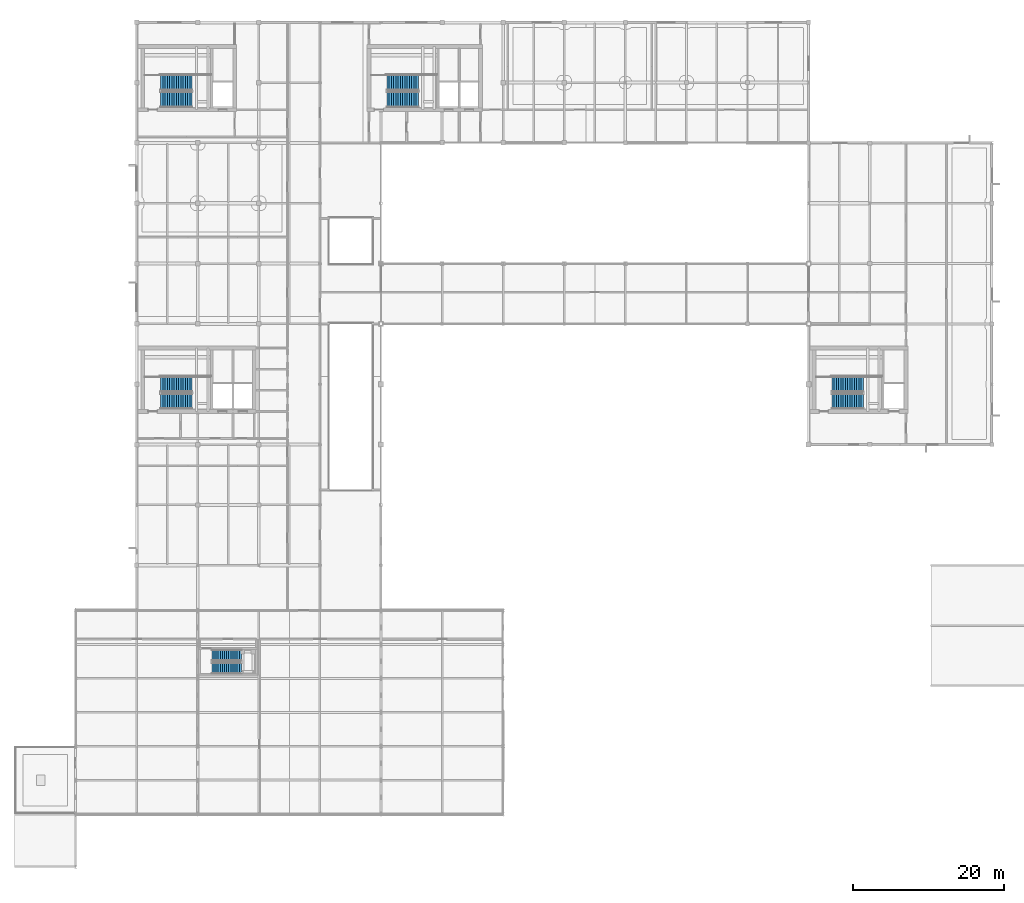
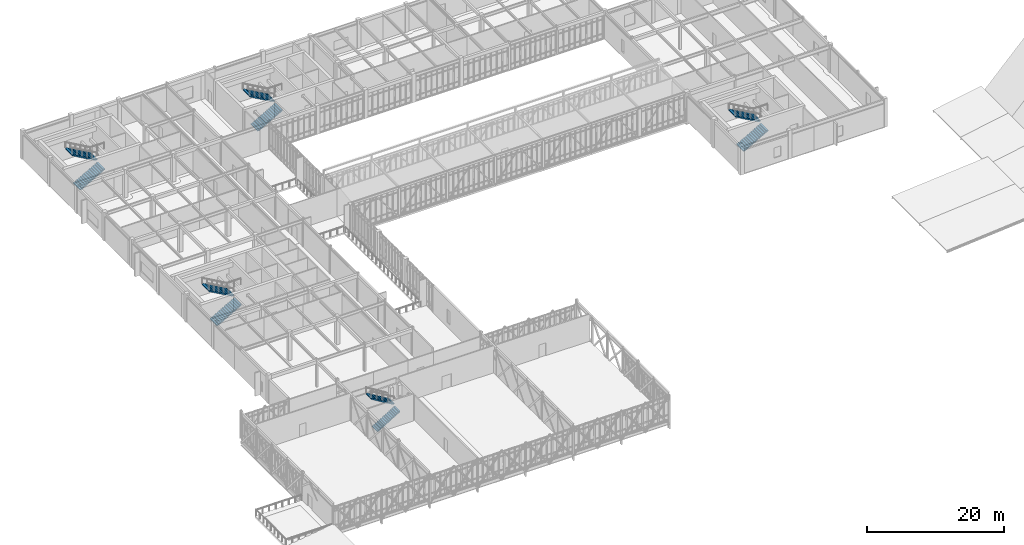
# One storey, part 100 of 107: 10 stair flights, 5 elements without a shape of their own.
"""IFC4 building model written with IfcOpenShell, lengths in metres."""

from ifc_helpers import new_model, si_unit, direction, frame, origin, place, context, subcontext, project, spatial, polyline, outline, extrude, material, type_object, element, aggregate, save


model = new_model("IFC4")

# Units and contexts
model_context = context("Model", 3, precision=1e-05, world=origin(), true_north=direction((0.0, 1.0)))
body_context = subcontext(model_context, "Body", "Model", "MODEL_VIEW")
ifc_project = project(units=[si_unit("LENGTHUNIT", "METRE"), si_unit("AREAUNIT", "SQUARE_METRE"), si_unit("VOLUMEUNIT", "CUBIC_METRE"), si_unit("PLANEANGLEUNIT", "RADIAN"), si_unit("MASSUNIT", "GRAM", prefix="KILO")], contexts=[model_context])

# Site, building, storey
site_placement = place(None, origin())
site = spatial("IfcSite", under=ifc_project, at=site_placement, CompositionType="ELEMENT")
building_placement = place(site_placement, origin())
building = spatial("IfcBuilding", under=site, at=building_placement, Name="Tarnveldt Square Police Headquarters", CompositionType="ELEMENT")
storey_placement = place(building_placement, frame((0.0, 0.0, 14.699951171875)))
storey = spatial("IfcBuildingStorey", under=building, at=storey_placement, Name="L03", CompositionType="ELEMENT", Elevation=14.699951171875)

# Stair, stair flights
ifc_material = material(Name="Concrete 40 MPa", Category="concrete")
stair_type_1 = type_object("IfcStairType", Name="STR-HT-48A", PredefinedType="HALF_TURN_STAIR", material=ifc_material)
stair_1_placement = place(storey_placement, origin())
stair_1 = element("IfcStair", 1, at=stair_1_placement, inside=storey, type_object=stair_type_1, Name="L03 Core K1 Exit Stair ST1", PredefinedType="HALF_TURN_STAIR")
stair_flight_type_1 = type_object("IfcStairFlightType", Name="STF-HT-48A", PredefinedType="STRAIGHT", material=ifc_material)
stair_flight_1_placement = place(storey_placement, frame((19.3701171875, 61.7451171875, 0.0), z_axis=(0.0, 0.0, 1.0), x_axis=(1.0, 0.0, 0.0)))
stair_flight_1 = element("IfcStairFlight", 2, at=stair_flight_1_placement, type_object=stair_flight_type_1, Name="ST1 flight 1", NumberOfRisers=15, NumberOfTreads=14, PredefinedType="STRAIGHT", RiserHeight=0.17, TreadLength=0.3, context=body_context, shape_type="SweptSolid", body=[
    extrude(outline(polyline([(0.0, 0.0), (0.0, 0.169921875), (0.300048828125, 0.169921875), (0.300048828125, 0.340087890625), (0.60009765625, 0.340087890625), (0.60009765625, 0.510009765625), (0.89990234375, 0.510009765625), (0.89990234375, 0.679931640625), (1.199951171875, 0.679931640625), (1.199951171875, 0.85009765625), (1.5, 0.85009765625), (1.5, 1.02001953125), (1.800048828125, 1.02001953125), (1.800048828125, 1.18994140625), (2.10009765625, 1.18994140625), (2.10009765625, 1.360107421875), (2.39990234375, 1.360107421875), (2.39990234375, 1.530029296875), (2.699951171875, 1.530029296875), (2.699951171875, 1.699951171875), (3.0, 1.699951171875), (3.0, 1.8701171875), (3.300048828125, 1.8701171875), (3.300048828125, 2.0400390625), (3.60009765625, 2.0400390625), (3.60009765625, 2.2099609375), (3.89990234375, 2.2099609375), (3.89990234375, 2.3798828125), (4.199951171875, 2.3798828125), (4.199951171875, 2.550048828125), (4.199951171875, 2.207763671875), (0.303955078125, 0.0), (0.0, 0.0)])), frame((0.0, 1.02490234375, 0.0), z_axis=(0.0, -1.0, 0.0), x_axis=(1.0, 0.0, 0.0)), (0.0, 0.0, 1.0), 2.050048828125),
])
stair_flight_2_placement = place(storey_placement, frame((23.570068359375, 63.9951171875, 2.550048828125), z_axis=(0.0, 0.0, 1.0), x_axis=(-1.0, 0.0, 0.0)))
stair_flight_2 = element("IfcStairFlight", 3, at=stair_flight_2_placement, type_object=stair_flight_type_1, Name="ST1 flight 2", NumberOfRisers=15, NumberOfTreads=14, PredefinedType="STRAIGHT", RiserHeight=0.17, TreadLength=0.3, context=body_context, shape_type="SweptSolid", body=[
    extrude(outline(polyline([(0.0, 0.0), (0.0, 0.169921875), (0.300048828125, 0.169921875), (0.300048828125, 0.340087890625), (0.60009765625, 0.340087890625), (0.60009765625, 0.510009765625), (0.89990234375, 0.510009765625), (0.89990234375, 0.679931640625), (1.199951171875, 0.679931640625), (1.199951171875, 0.85009765625), (1.5, 0.85009765625), (1.5, 1.02001953125), (1.800048828125, 1.02001953125), (1.800048828125, 1.18994140625), (2.10009765625, 1.18994140625), (2.10009765625, 1.360107421875), (2.39990234375, 1.360107421875), (2.39990234375, 1.530029296875), (2.699951171875, 1.530029296875), (2.699951171875, 1.699951171875), (3.0, 1.699951171875), (3.0, 1.8701171875), (3.300048828125, 1.8701171875), (3.300048828125, 2.0400390625), (3.60009765625, 2.0400390625), (3.60009765625, 2.2099609375), (3.89990234375, 2.2099609375), (3.89990234375, 2.3798828125), (4.199951171875, 2.3798828125), (4.199951171875, 2.550048828125), (4.199951171875, 2.207763671875), (0.303955078125, 0.0), (0.0, 0.0)])), frame((0.0, 1.02490234375, 0.0), z_axis=(0.0, -1.0, 0.0), x_axis=(1.0, 0.0, 0.0)), (0.0, 0.0, 1.0), 2.050048828125),
])
aggregate(stair_1, [stair_flight_1, stair_flight_2])

stair_2_placement = place(storey_placement, origin())
stair_2 = element("IfcStair", 4, at=stair_2_placement, inside=storey, type_object=stair_type_1, Name="L03 Core K2 Exit Stair ST2", PredefinedType="HALF_TURN_STAIR")
stair_flight_3_placement = place(storey_placement, frame((19.3701171875, 101.7451171875, 0.0), z_axis=(0.0, 0.0, 1.0), x_axis=(1.0, 0.0, 0.0)))
stair_flight_3 = element("IfcStairFlight", 5, at=stair_flight_3_placement, type_object=stair_flight_type_1, Name="ST2 flight 1", NumberOfRisers=15, NumberOfTreads=14, PredefinedType="STRAIGHT", RiserHeight=0.17, TreadLength=0.3, context=body_context, shape_type="SweptSolid", body=[
    extrude(outline(polyline([(0.0, 0.0), (0.0, 0.169921875), (0.300048828125, 0.169921875), (0.300048828125, 0.340087890625), (0.60009765625, 0.340087890625), (0.60009765625, 0.510009765625), (0.89990234375, 0.510009765625), (0.89990234375, 0.679931640625), (1.199951171875, 0.679931640625), (1.199951171875, 0.85009765625), (1.5, 0.85009765625), (1.5, 1.02001953125), (1.800048828125, 1.02001953125), (1.800048828125, 1.18994140625), (2.10009765625, 1.18994140625), (2.10009765625, 1.360107421875), (2.39990234375, 1.360107421875), (2.39990234375, 1.530029296875), (2.699951171875, 1.530029296875), (2.699951171875, 1.699951171875), (3.0, 1.699951171875), (3.0, 1.8701171875), (3.300048828125, 1.8701171875), (3.300048828125, 2.0400390625), (3.60009765625, 2.0400390625), (3.60009765625, 2.2099609375), (3.89990234375, 2.2099609375), (3.89990234375, 2.3798828125), (4.199951171875, 2.3798828125), (4.199951171875, 2.550048828125), (4.199951171875, 2.207763671875), (0.303955078125, 0.0), (0.0, 0.0)])), frame((0.0, 1.02490234375, 0.0), z_axis=(0.0, -1.0, 0.0), x_axis=(1.0, 0.0, 0.0)), (0.0, 0.0, 1.0), 2.050048828125),
])
stair_flight_4_placement = place(storey_placement, frame((23.570068359375, 103.9951171875, 2.550048828125), z_axis=(0.0, 0.0, 1.0), x_axis=(-1.0, 0.0, 0.0)))
stair_flight_4 = element("IfcStairFlight", 6, at=stair_flight_4_placement, type_object=stair_flight_type_1, Name="ST2 flight 2", NumberOfRisers=15, NumberOfTreads=14, PredefinedType="STRAIGHT", RiserHeight=0.17, TreadLength=0.3, context=body_context, shape_type="SweptSolid", body=[
    extrude(outline(polyline([(0.0, 0.0), (0.0, 0.169921875), (0.300048828125, 0.169921875), (0.300048828125, 0.340087890625), (0.60009765625, 0.340087890625), (0.60009765625, 0.510009765625), (0.89990234375, 0.510009765625), (0.89990234375, 0.679931640625), (1.199951171875, 0.679931640625), (1.199951171875, 0.85009765625), (1.5, 0.85009765625), (1.5, 1.02001953125), (1.800048828125, 1.02001953125), (1.800048828125, 1.18994140625), (2.10009765625, 1.18994140625), (2.10009765625, 1.360107421875), (2.39990234375, 1.360107421875), (2.39990234375, 1.530029296875), (2.699951171875, 1.530029296875), (2.699951171875, 1.699951171875), (3.0, 1.699951171875), (3.0, 1.8701171875), (3.300048828125, 1.8701171875), (3.300048828125, 2.0400390625), (3.60009765625, 2.0400390625), (3.60009765625, 2.2099609375), (3.89990234375, 2.2099609375), (3.89990234375, 2.3798828125), (4.199951171875, 2.3798828125), (4.199951171875, 2.550048828125), (4.199951171875, 2.207763671875), (0.303955078125, 0.0), (0.0, 0.0)])), frame((0.0, 1.02490234375, 0.0), z_axis=(0.0, -1.0, 0.0), x_axis=(1.0, 0.0, 0.0)), (0.0, 0.0, 1.0), 2.050048828125),
])
aggregate(stair_2, [stair_flight_3, stair_flight_4])

stair_3_placement = place(storey_placement, origin())
stair_3 = element("IfcStair", 7, at=stair_3_placement, inside=storey, type_object=stair_type_1, Name="L03 Core K3 Exit Stair ST3", PredefinedType="HALF_TURN_STAIR")
stair_flight_5_placement = place(storey_placement, frame((49.3701171875, 101.7451171875, 0.0), z_axis=(0.0, 0.0, 1.0), x_axis=(1.0, 0.0, 0.0)))
stair_flight_5 = element("IfcStairFlight", 8, at=stair_flight_5_placement, type_object=stair_flight_type_1, Name="ST3 flight 1", NumberOfRisers=15, NumberOfTreads=14, PredefinedType="STRAIGHT", RiserHeight=0.17, TreadLength=0.3, context=body_context, shape_type="SweptSolid", body=[
    extrude(outline(polyline([(0.0, 0.0), (0.0, 0.169921875), (0.300048828125, 0.169921875), (0.300048828125, 0.340087890625), (0.60009765625, 0.340087890625), (0.60009765625, 0.510009765625), (0.89990234375, 0.510009765625), (0.89990234375, 0.679931640625), (1.199951171875, 0.679931640625), (1.199951171875, 0.85009765625), (1.5, 0.85009765625), (1.5, 1.02001953125), (1.800048828125, 1.02001953125), (1.800048828125, 1.18994140625), (2.10009765625, 1.18994140625), (2.10009765625, 1.360107421875), (2.39990234375, 1.360107421875), (2.39990234375, 1.530029296875), (2.699951171875, 1.530029296875), (2.699951171875, 1.699951171875), (3.0, 1.699951171875), (3.0, 1.8701171875), (3.300048828125, 1.8701171875), (3.300048828125, 2.0400390625), (3.60009765625, 2.0400390625), (3.60009765625, 2.2099609375), (3.89990234375, 2.2099609375), (3.89990234375, 2.3798828125), (4.199951171875, 2.3798828125), (4.199951171875, 2.550048828125), (4.199951171875, 2.207763671875), (0.303955078125, 0.0), (0.0, 0.0)])), frame((0.0, 1.02490234375, 0.0), z_axis=(0.0, -1.0, 0.0), x_axis=(1.0, 0.0, 0.0)), (0.0, 0.0, 1.0), 2.050048828125),
])
stair_flight_6_placement = place(storey_placement, frame((53.570068359375, 103.9951171875, 2.550048828125), z_axis=(0.0, 0.0, 1.0), x_axis=(-1.0, 0.0, 0.0)))
stair_flight_6 = element("IfcStairFlight", 9, at=stair_flight_6_placement, type_object=stair_flight_type_1, Name="ST3 flight 2", NumberOfRisers=15, NumberOfTreads=14, PredefinedType="STRAIGHT", RiserHeight=0.17, TreadLength=0.3, context=body_context, shape_type="SweptSolid", body=[
    extrude(outline(polyline([(0.0, 0.0), (0.0, 0.169921875), (0.300048828125, 0.169921875), (0.300048828125, 0.340087890625), (0.60009765625, 0.340087890625), (0.60009765625, 0.510009765625), (0.89990234375, 0.510009765625), (0.89990234375, 0.679931640625), (1.199951171875, 0.679931640625), (1.199951171875, 0.85009765625), (1.5, 0.85009765625), (1.5, 1.02001953125), (1.800048828125, 1.02001953125), (1.800048828125, 1.18994140625), (2.10009765625, 1.18994140625), (2.10009765625, 1.360107421875), (2.39990234375, 1.360107421875), (2.39990234375, 1.530029296875), (2.699951171875, 1.530029296875), (2.699951171875, 1.699951171875), (3.0, 1.699951171875), (3.0, 1.8701171875), (3.300048828125, 1.8701171875), (3.300048828125, 2.0400390625), (3.60009765625, 2.0400390625), (3.60009765625, 2.2099609375), (3.89990234375, 2.2099609375), (3.89990234375, 2.3798828125), (4.199951171875, 2.3798828125), (4.199951171875, 2.550048828125), (4.199951171875, 2.207763671875), (0.303955078125, 0.0), (0.0, 0.0)])), frame((0.0, 1.02490234375, 0.0), z_axis=(0.0, -1.0, 0.0), x_axis=(1.0, 0.0, 0.0)), (0.0, 0.0, 1.0), 2.050048828125),
])
aggregate(stair_3, [stair_flight_5, stair_flight_6])

stair_type_2 = type_object("IfcStairType", Name="STR-HT-48B", PredefinedType="HALF_TURN_STAIR", material=ifc_material)
stair_4_placement = place(storey_placement, origin())
stair_4 = element("IfcStair", 10, at=stair_4_placement, inside=storey, type_object=stair_type_2, Name="L03 Core K4 Exit Stair ST4", PredefinedType="HALF_TURN_STAIR")
stair_flight_type_2 = type_object("IfcStairFlightType", Name="STF-HT-48B", PredefinedType="STRAIGHT", material=ifc_material)
stair_flight_7_placement = place(storey_placement, frame((108.3701171875, 61.7451171875, 0.0), z_axis=(0.0, 0.0, 1.0), x_axis=(1.0, 0.0, 0.0)))
stair_flight_7 = element("IfcStairFlight", 11, at=stair_flight_7_placement, type_object=stair_flight_type_2, Name="ST4 flight 1", NumberOfRisers=15, NumberOfTreads=14, PredefinedType="STRAIGHT", RiserHeight=0.17, TreadLength=0.3, context=body_context, shape_type="SweptSolid", body=[
    extrude(outline(polyline([(0.0, 0.0), (0.0, 0.169921875), (0.300048828125, 0.169921875), (0.300048828125, 0.340087890625), (0.60009765625, 0.340087890625), (0.60009765625, 0.510009765625), (0.89990234375, 0.510009765625), (0.89990234375, 0.679931640625), (1.199951171875, 0.679931640625), (1.199951171875, 0.85009765625), (1.5, 0.85009765625), (1.5, 1.02001953125), (1.800048828125, 1.02001953125), (1.800048828125, 1.18994140625), (2.10009765625, 1.18994140625), (2.10009765625, 1.360107421875), (2.39990234375, 1.360107421875), (2.39990234375, 1.530029296875), (2.699951171875, 1.530029296875), (2.699951171875, 1.699951171875), (3.0, 1.699951171875), (3.0, 1.8701171875), (3.300048828125, 1.8701171875), (3.300048828125, 2.0400390625), (3.60009765625, 2.0400390625), (3.60009765625, 2.2099609375), (3.89990234375, 2.2099609375), (3.89990234375, 2.3798828125), (4.199951171875, 2.3798828125), (4.199951171875, 2.550048828125), (4.199951171875, 2.207763671875), (0.303955078125, 0.0), (0.0, 0.0)])), frame((0.0, 1.02490234375, 0.0), z_axis=(0.0, -1.0, 0.0), x_axis=(1.0, 0.0, 0.0)), (0.0, 0.0, 1.0), 2.050048828125),
])
stair_flight_8_placement = place(storey_placement, frame((112.570068359375, 63.9951171875, 2.550048828125), z_axis=(0.0, 0.0, 1.0), x_axis=(-1.0, 0.0, 0.0)))
stair_flight_8 = element("IfcStairFlight", 12, at=stair_flight_8_placement, type_object=stair_flight_type_2, Name="ST4 flight 2", NumberOfRisers=15, NumberOfTreads=14, PredefinedType="STRAIGHT", RiserHeight=0.17, TreadLength=0.3, context=body_context, shape_type="SweptSolid", body=[
    extrude(outline(polyline([(0.0, 0.0), (0.0, 0.169921875), (0.300048828125, 0.169921875), (0.300048828125, 0.340087890625), (0.60009765625, 0.340087890625), (0.60009765625, 0.510009765625), (0.89990234375, 0.510009765625), (0.89990234375, 0.679931640625), (1.199951171875, 0.679931640625), (1.199951171875, 0.85009765625), (1.5, 0.85009765625), (1.5, 1.02001953125), (1.800048828125, 1.02001953125), (1.800048828125, 1.18994140625), (2.10009765625, 1.18994140625), (2.10009765625, 1.360107421875), (2.39990234375, 1.360107421875), (2.39990234375, 1.530029296875), (2.699951171875, 1.530029296875), (2.699951171875, 1.699951171875), (3.0, 1.699951171875), (3.0, 1.8701171875), (3.300048828125, 1.8701171875), (3.300048828125, 2.0400390625), (3.60009765625, 2.0400390625), (3.60009765625, 2.2099609375), (3.89990234375, 2.2099609375), (3.89990234375, 2.3798828125), (4.199951171875, 2.3798828125), (4.199951171875, 2.550048828125), (4.199951171875, 2.207763671875), (0.303955078125, 0.0), (0.0, 0.0)])), frame((0.0, 1.02490234375, 0.0), z_axis=(0.0, -1.0, 0.0), x_axis=(1.0, 0.0, 0.0)), (0.0, 0.0, 1.0), 2.050048828125),
])
aggregate(stair_4, [stair_flight_7, stair_flight_8])

stair_type_3 = type_object("IfcStairType", Name="STR-HT-48C", PredefinedType="HALF_TURN_STAIR", material=ifc_material)
stair_5_placement = place(storey_placement, origin())
stair_5 = element("IfcStair", 13, at=stair_5_placement, inside=storey, type_object=stair_type_3, Name="L03 Plinth and Command Lantern Exit Stair ST6", PredefinedType="HALF_TURN_STAIR")
stair_flight_type_3 = type_object("IfcStairFlightType", Name="STF-HT-48C", PredefinedType="STRAIGHT", material=ifc_material)
stair_flight_9_placement = place(storey_placement, frame((26.169921875, 26.340087890625, 0.0), z_axis=(0.0, 0.0, 1.0), x_axis=(1.0, 0.0, 0.0)))
stair_flight_9 = element("IfcStairFlight", 14, at=stair_flight_9_placement, type_object=stair_flight_type_3, Name="ST6 flight 1", NumberOfRisers=15, NumberOfTreads=14, PredefinedType="STRAIGHT", RiserHeight=0.17, TreadLength=0.28, context=body_context, shape_type="SweptSolid", body=[
    extrude(outline(polyline([(0.0, 0.0), (0.0, 0.169921875), (0.280029296875, 0.169921875), (0.280029296875, 0.340087890625), (0.56005859375, 0.340087890625), (0.56005859375, 0.510009765625), (0.840087890625, 0.510009765625), (0.840087890625, 0.679931640625), (1.1201171875, 0.679931640625), (1.1201171875, 0.85009765625), (1.39990234375, 0.85009765625), (1.39990234375, 1.02001953125), (1.679931640625, 1.02001953125), (1.679931640625, 1.18994140625), (1.9599609375, 1.18994140625), (1.9599609375, 1.360107421875), (2.239990234375, 1.360107421875), (2.239990234375, 1.530029296875), (2.52001953125, 1.530029296875), (2.52001953125, 1.699951171875), (2.800048828125, 1.699951171875), (2.800048828125, 1.8701171875), (3.080078125, 1.8701171875), (3.080078125, 2.0400390625), (3.360107421875, 2.0400390625), (3.360107421875, 2.2099609375), (3.639892578125, 2.2099609375), (3.639892578125, 2.3798828125), (3.919921875, 2.3798828125), (3.919921875, 2.550048828125), (3.919921875, 2.20458984375), (0.288818359375, 0.0), (0.0, 0.0)])), frame((0.0, 0.760009765625, 0.0), z_axis=(0.0, -1.0, 0.0), x_axis=(1.0, 0.0, 0.0)), (0.0, 0.0, 1.0), 1.52001953125),
])
stair_flight_10_placement = place(storey_placement, frame((30.090087890625, 28.06005859375, 2.550048828125), z_axis=(0.0, 0.0, 1.0), x_axis=(-1.0, 0.0, 0.0)))
stair_flight_10 = element("IfcStairFlight", 15, at=stair_flight_10_placement, type_object=stair_flight_type_3, Name="ST6 flight 2", NumberOfRisers=15, NumberOfTreads=14, PredefinedType="STRAIGHT", RiserHeight=0.17, TreadLength=0.28, context=body_context, shape_type="SweptSolid", body=[
    extrude(outline(polyline([(0.0, 0.0), (0.0, 0.169921875), (0.280029296875, 0.169921875), (0.280029296875, 0.340087890625), (0.56005859375, 0.340087890625), (0.56005859375, 0.510009765625), (0.840087890625, 0.510009765625), (0.840087890625, 0.679931640625), (1.1201171875, 0.679931640625), (1.1201171875, 0.85009765625), (1.39990234375, 0.85009765625), (1.39990234375, 1.02001953125), (1.679931640625, 1.02001953125), (1.679931640625, 1.18994140625), (1.9599609375, 1.18994140625), (1.9599609375, 1.360107421875), (2.239990234375, 1.360107421875), (2.239990234375, 1.530029296875), (2.52001953125, 1.530029296875), (2.52001953125, 1.699951171875), (2.800048828125, 1.699951171875), (2.800048828125, 1.8701171875), (3.080078125, 1.8701171875), (3.080078125, 2.0400390625), (3.360107421875, 2.0400390625), (3.360107421875, 2.2099609375), (3.639892578125, 2.2099609375), (3.639892578125, 2.3798828125), (3.919921875, 2.3798828125), (3.919921875, 2.550048828125), (3.919921875, 2.20458984375), (0.288818359375, 0.0), (0.0, 0.0)])), frame((0.0, 0.760009765625, 0.0), z_axis=(0.0, -1.0, 0.0), x_axis=(1.0, 0.0, 0.0)), (0.0, 0.0, 1.0), 1.52001953125),
])
aggregate(stair_5, [stair_flight_9, stair_flight_10])

save(model, "model.ifc")
